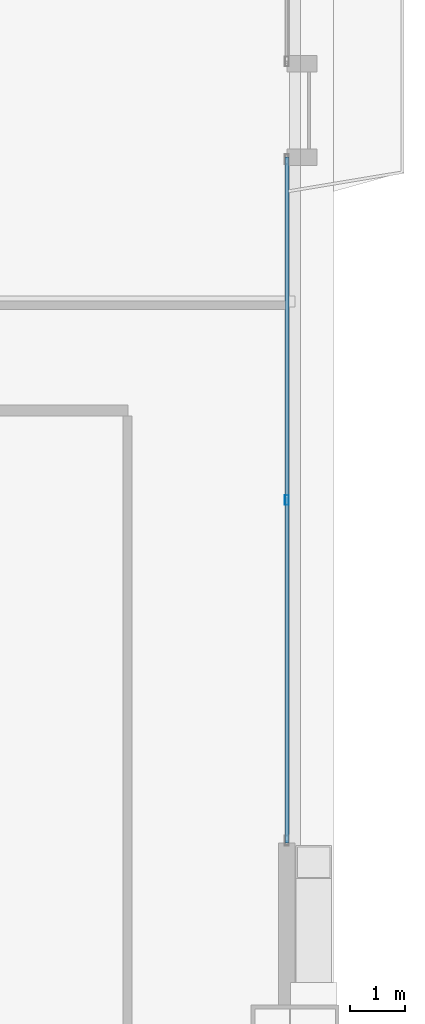
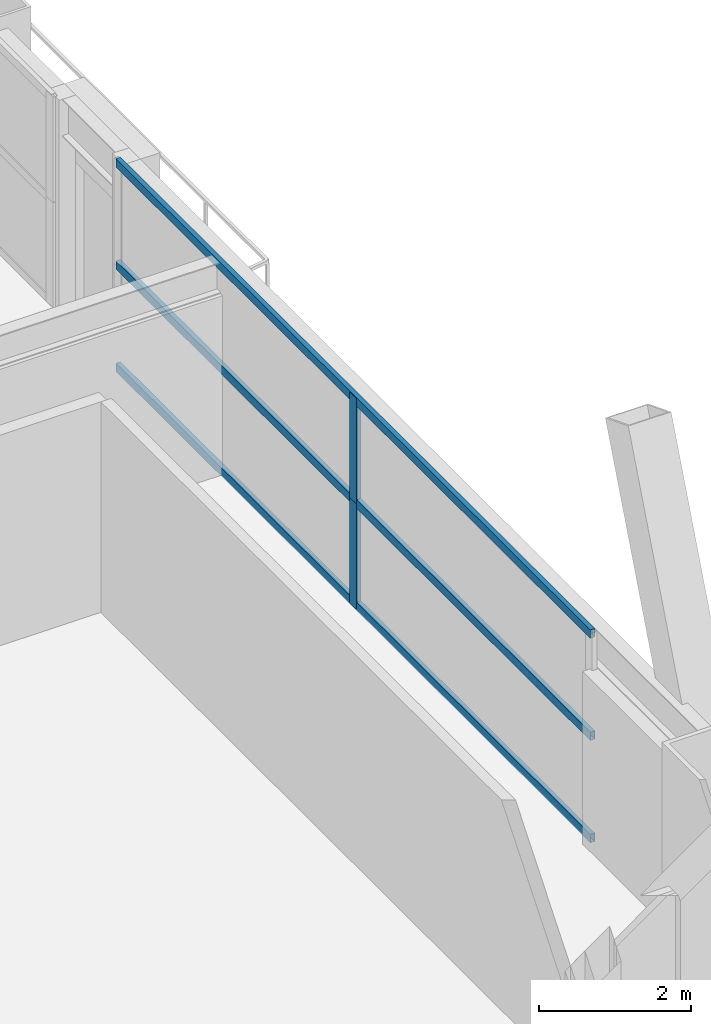
# One storey, part 20 of 43: 5 members, 1 element without a shape of its own.
"""IFC4 building model written with IfcOpenShell, lengths in metres."""

from ifc_helpers import new_model, si_unit, direction, frame, origin, origin_2d, place, context, subcontext, project, spatial, hollow_rectangle, extrude, source, transform, mapped, material, layer, layer_set, material_profile, profile_set, type_object, element, aggregate, save


model = new_model("IFC4")

# Units and contexts
model_context = context("Model", 3, precision=1e-05, world=origin(), true_north=direction((0.0, 1.0)))
body_context = subcontext(model_context, "Body", "Model", "MODEL_VIEW")
ifc_project = project(units=[si_unit("LENGTHUNIT", "METRE"), si_unit("AREAUNIT", "SQUARE_METRE"), si_unit("VOLUMEUNIT", "CUBIC_METRE"), si_unit("PLANEANGLEUNIT", "RADIAN"), si_unit("MASSUNIT", "GRAM", prefix="KILO"), si_unit("THERMODYNAMICTEMPERATUREUNIT", "KELVIN"), si_unit("POWERUNIT", "WATT")], contexts=[model_context])

# Site, building, storey
site_placement = place(None, origin())
site = spatial("IfcSite", under=ifc_project, at=site_placement, CompositionType="ELEMENT")
building_placement = place(site_placement, origin())
building = spatial("IfcBuilding", under=site, at=building_placement, Name="Yuzanri Waterfront Tower", CompositionType="ELEMENT")
storey_placement = place(building_placement, frame((0.0, 0.0, 101.0)))
storey = spatial("IfcBuildingStorey", under=building, at=storey_placement, Name="L26", CompositionType="ELEMENT", Elevation=101.0)

# Curtain wall, members
ifc_material_1 = material(Name="Anodized Architectural Bronze", Category="metal")
ifc_layer = layer(ifc_material_1, 0.159912109375)
ifc_layer_set = layer_set([ifc_layer], Name="Anodized Architectural Bronze")
curtain_wall_type = type_object("IfcCurtainWallType", Name="Anodized Bronze Hotel Upper-Tier Solar-Control Unitized Curtain Wall 7800", PredefinedType="NOTDEFINED", material=ifc_layer_set)
curtain_wall_placement = place(storey_placement, origin())
curtain_wall = element("IfcCurtainWall", 1, at=curtain_wall_placement, inside=storey, type_object=curtain_wall_type, Name="L26 Curtain Wall CW-L26-EL1", PredefinedType="NOTDEFINED")
ifc_material_2 = material(Name="Anodized Architectural Bronze", Category="metal")
ifc_material_profile_1 = material_profile(ifc_material_2, hollow_rectangle(XDim=0.070068359375, YDim=0.179931640625, WallThickness=0.00390625, at=origin_2d()), Name="CWM 70x180")
ifc_profile_set_1 = profile_set([ifc_material_profile_1], Name="Anodized Architectural Bronze")
member_type_1 = type_object("IfcMemberType", Name="Anodized Bronze Standard Curtain-Wall Mullion 70x180", PredefinedType="MULLION", material=ifc_profile_set_1)
shared_shape_1 = source(origin(), body_context, "Body", "SweptSolid", [
    extrude(hollow_rectangle(XDim=0.070068359375, YDim=0.179931640625, WallThickness=0.00390625, at=origin_2d()), origin(), (0.0, 0.0, 1.0), 1.68798828125),
])
member_1_placement = place(storey_placement, frame((60.449951171875, 15.78759765625, 0.0), z_axis=(0.0, 0.0, 1.0), x_axis=(1.0, 0.0, 0.0)))
member_1 = element("IfcMember", 2, at=member_1_placement, type_object=member_type_1, Name="CW-L26-EL1 Lower Mullion 01", PredefinedType="MULLION", context=body_context, shape_type="MappedRepresentation", body=[
    mapped(shared_shape_1, transform((0.0, 0.0, 0.0), scale=1.0)),
])
member_2_placement = place(storey_placement, frame((60.449951171875, 15.78759765625, 1.69189453125), z_axis=(0.0, 0.0, 1.0), x_axis=(1.0, 0.0, 0.0)))
member_2 = element("IfcMember", 3, at=member_2_placement, type_object=member_type_1, Name="CW-L26-EL1 Upper Mullion 01", PredefinedType="MULLION", context=body_context, shape_type="MappedRepresentation", body=[
    mapped(shared_shape_1, transform((0.0, 0.0, 0.0), scale=1.0)),
])
ifc_material_3 = material(Name="Anodized Architectural Bronze", Category="metal")
ifc_material_profile_2 = material_profile(ifc_material_3, hollow_rectangle(XDim=0.070068359375, YDim=0.135009765625, WallThickness=0.00341796875, at=origin_2d()), Name="CWT 70x135")
ifc_profile_set_2 = profile_set([ifc_material_profile_2], Name="Anodized Architectural Bronze")
member_type_2 = type_object("IfcMemberType", Name="Anodized Bronze Standard Curtain-Wall Transom 70x135", PredefinedType="USERDEFINED", material=ifc_profile_set_2)
shared_shape_2 = source(origin(), body_context, "Body", "SweptSolid", [
    extrude(hollow_rectangle(XDim=0.070068359375, YDim=0.135009765625, WallThickness=0.00341796875, at=origin_2d()), origin(), (0.0, 0.0, 1.0), 12.474853515625),
])
member_3_placement = place(storey_placement, frame((60.449951171875, 9.550048828125, 0.050048828125), z_axis=(0.0, 1.0, 0.0), x_axis=(-1.0, 0.0, 0.0)))
member_3 = element("IfcMember", 4, at=member_3_placement, type_object=member_type_2, Name="CW-L26-EL1 Transom 1", ObjectType="TRANSOM", PredefinedType="USERDEFINED", context=body_context, shape_type="MappedRepresentation", body=[
    mapped(shared_shape_2, transform((0.0, 0.0, 0.0), scale=1.0)),
])
member_4_placement = place(storey_placement, frame((60.449951171875, 9.550048828125, 1.68994140625), z_axis=(0.0, 1.0, 0.0), x_axis=(-1.0, 0.0, 0.0)))
member_4 = element("IfcMember", 5, at=member_4_placement, type_object=member_type_2, Name="CW-L26-EL1 Transom 2", ObjectType="TRANSOM", PredefinedType="USERDEFINED", context=body_context, shape_type="MappedRepresentation", body=[
    mapped(shared_shape_2, transform((0.0, 0.0, 0.0), scale=1.0)),
])
member_5_placement = place(storey_placement, frame((60.449951171875, 9.550048828125, 3.330078125), z_axis=(0.0, 1.0, 0.0), x_axis=(-1.0, 0.0, 0.0)))
member_5 = element("IfcMember", 6, at=member_5_placement, type_object=member_type_2, Name="CW-L26-EL1 Transom 3", ObjectType="TRANSOM", PredefinedType="USERDEFINED", context=body_context, shape_type="MappedRepresentation", body=[
    mapped(shared_shape_2, transform((0.0, 0.0, 0.0), scale=1.0)),
])
aggregate(curtain_wall, [member_1, member_2, member_3, member_4, member_5])

save(model, "model.ifc")
